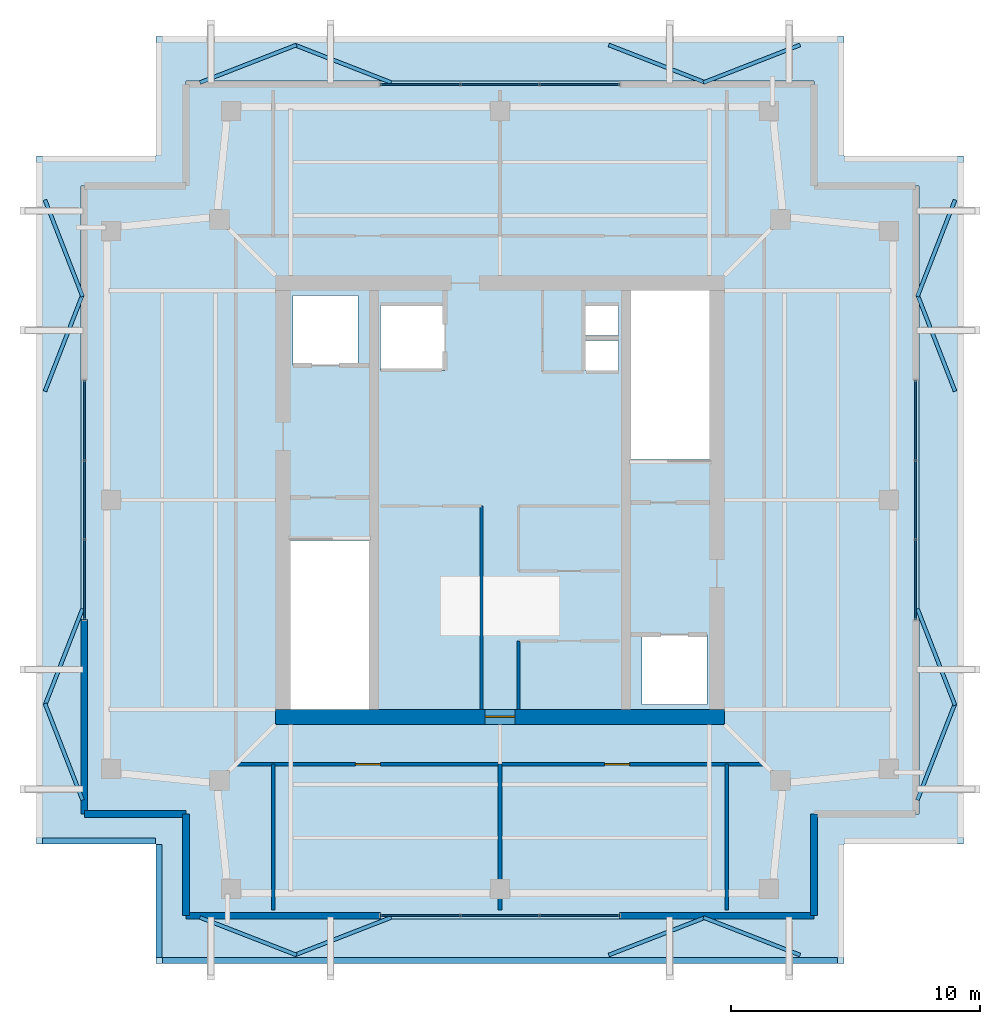
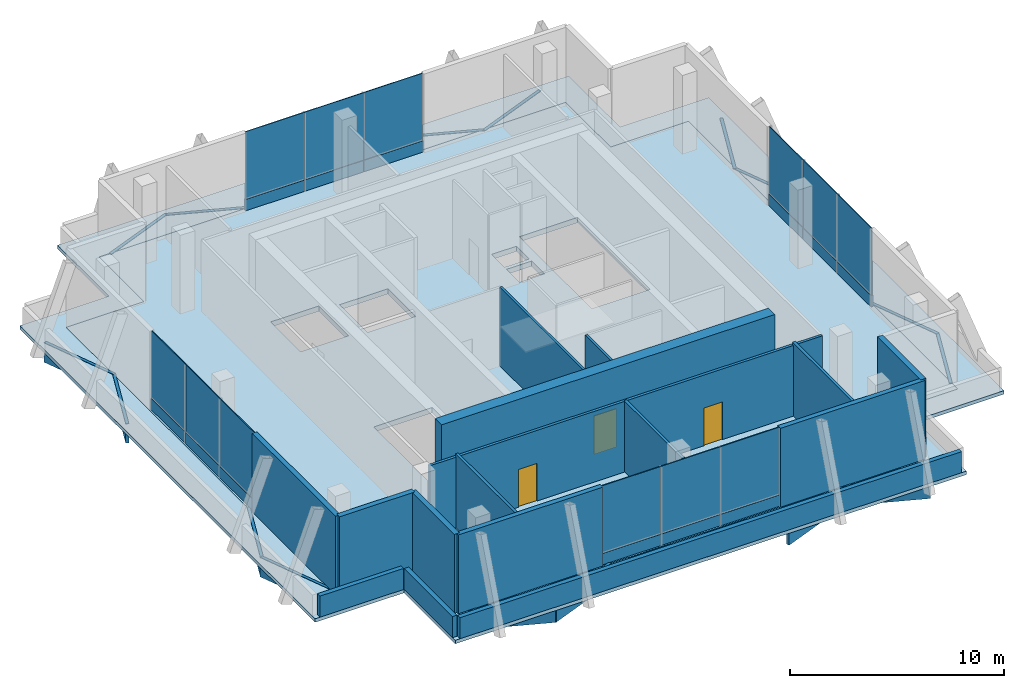
# One storey, part 12 of 15: 40 plates, 16 walls, 3 doors, 2 slabs, 3 openings, 4 elements without a shape of their own.
"""IFC4 building model written with IfcOpenShell, lengths in metres."""

from ifc_helpers import new_model, si_unit, direction, frame, frame_2d, origin, origin_2d, place, context, subcontext, project, spatial, polyline, rectangle, outline, extrude, material, layer, layer_set, type_object, element, fill, aggregate, save


model = new_model("IFC4")

# Units and contexts
model_context = context("Model", 3, precision=1e-05, world=origin(), true_north=direction((0.0, 1.0)))
body_context = subcontext(model_context, "Body", "Model", "MODEL_VIEW")
ifc_project = project(units=[si_unit("LENGTHUNIT", "METRE"), si_unit("AREAUNIT", "SQUARE_METRE"), si_unit("VOLUMEUNIT", "CUBIC_METRE"), si_unit("PLANEANGLEUNIT", "RADIAN"), si_unit("MASSUNIT", "GRAM", prefix="KILO")], contexts=[model_context])

# Site, building, storey
site_placement = place(None, origin())
site = spatial("IfcSite", under=ifc_project, at=site_placement, CompositionType="ELEMENT")
building_placement = place(site_placement, origin())
building = spatial("IfcBuilding", under=site, at=building_placement, Name="Belovzor Exchange Tower", CompositionType="ELEMENT")
storey_placement = place(building_placement, frame((0.0, 0.0, 373.800048828125)))
storey = spatial("IfcBuildingStorey", under=building, at=storey_placement, Name="L93", CompositionType="ELEMENT", Elevation=373.800048828125)

# Curtain wall, plates
ifc_material_1 = material(Name="Anodised Aluminium Framing", Category="aluminium")
ifc_layer_1 = layer(ifc_material_1, 0.169921875)
ifc_layer_set_1 = layer_set([ifc_layer_1], Name="Anodised Aluminium Framing")
curtain_wall_type = type_object("IfcCurtainWallType", Name="Stepped Crown Faceted Lantern Curtain Wall", PredefinedType="NOTDEFINED", material=ifc_layer_set_1)
curtain_wall_1_placement = place(storey_placement, origin())
curtain_wall_1 = element("IfcCurtainWall", 1, at=curtain_wall_1_placement, inside=storey, type_object=curtain_wall_type, Name="CW6 Stepped Crown Faceted Lantern Curtain Wall L93", PredefinedType="NOTDEFINED")
ifc_material_2 = material(Name="Solar-Control Triple Glazing", Category="glass")
ifc_layer_2 = layer(ifc_material_2, 0.0439453125)
ifc_layer_set_2 = layer_set([ifc_layer_2], Name="Solar-Control Triple Glazing")
plate_type_1 = type_object("IfcPlateType", Name="Insulated Solar Glazing Curtain Panel 44", PredefinedType="CURTAIN_PANEL", material=ifc_layer_set_2)
plate_1_placement = place(storey_placement, frame((32.0, 12.1298828125, 0.65185546875), z_axis=(0.0, 0.0, 1.0), x_axis=(-1.0, 0.0, 0.0)))
plate_1 = element("IfcPlate", 2, at=plate_1_placement, type_object=plate_type_1, Name="GLZ-44 Glazed Curtain Panel 1", PredefinedType="CURTAIN_PANEL", context=body_context, shape_type="SweptSolid", body=[
    extrude(rectangle(XDim=3.18408203125, YDim=0.0439453125, at=origin_2d()), origin(), (0.0, 0.0, 1.0), 3.847900390625),
])
plate_2_placement = place(storey_placement, frame((28.800048828125, 12.1298828125, 0.65185546875), z_axis=(0.0, 0.0, 1.0), x_axis=(-1.0, 0.0, 0.0)))
plate_2 = element("IfcPlate", 3, at=plate_2_placement, type_object=plate_type_1, Name="GLZ-44 Glazed Curtain Panel 2", PredefinedType="CURTAIN_PANEL", context=body_context, shape_type="SweptSolid", body=[
    extrude(rectangle(XDim=3.18408203125, YDim=0.0439453125, at=origin_2d()), origin(), (0.0, 0.0, 1.0), 3.847900390625),
])
plate_3_placement = place(storey_placement, frame((25.60009765625, 12.1298828125, 0.65185546875), z_axis=(0.0, 0.0, 1.0), x_axis=(-1.0, 0.0, 0.0)))
plate_3 = element("IfcPlate", 4, at=plate_3_placement, type_object=plate_type_1, Name="GLZ-44 Glazed Curtain Panel 3", PredefinedType="CURTAIN_PANEL", context=body_context, shape_type="SweptSolid", body=[
    extrude(rectangle(XDim=3.18408203125, YDim=0.0439453125, at=origin_2d()), origin(), (0.0, 0.0, 1.0), 3.847900390625),
])

curtain_wall_2_placement = place(storey_placement, origin())
curtain_wall_2 = element("IfcCurtainWall", 5, at=curtain_wall_2_placement, inside=storey, type_object=curtain_wall_type, Name="CW6 Stepped Crown Faceted Lantern Curtain Wall L93", PredefinedType="NOTDEFINED")
plate_4_placement = place(storey_placement, frame((25.60009765625, 45.469970703125, 0.65185546875), z_axis=(0.0, 0.0, 1.0), x_axis=(1.0, 0.0, 0.0)))
plate_4 = element("IfcPlate", 6, at=plate_4_placement, type_object=plate_type_1, Name="GLZ-44 Glazed Curtain Panel 1", PredefinedType="CURTAIN_PANEL", context=body_context, shape_type="SweptSolid", body=[
    extrude(rectangle(XDim=3.18408203125, YDim=0.0439453125, at=origin_2d()), origin(), (0.0, 0.0, 1.0), 3.847900390625),
])
plate_5_placement = place(storey_placement, frame((28.800048828125, 45.469970703125, 0.65185546875), z_axis=(0.0, 0.0, 1.0), x_axis=(1.0, 0.0, 0.0)))
plate_5 = element("IfcPlate", 7, at=plate_5_placement, type_object=plate_type_1, Name="GLZ-44 Glazed Curtain Panel 2", PredefinedType="CURTAIN_PANEL", context=body_context, shape_type="SweptSolid", body=[
    extrude(rectangle(XDim=3.18408203125, YDim=0.0439453125, at=origin_2d()), origin(), (0.0, 0.0, 1.0), 3.847900390625),
])
plate_6_placement = place(storey_placement, frame((32.0, 45.469970703125, 0.65185546875), z_axis=(0.0, 0.0, 1.0), x_axis=(1.0, 0.0, 0.0)))
plate_6 = element("IfcPlate", 8, at=plate_6_placement, type_object=plate_type_1, Name="GLZ-44 Glazed Curtain Panel 3", PredefinedType="CURTAIN_PANEL", context=body_context, shape_type="SweptSolid", body=[
    extrude(rectangle(XDim=3.18408203125, YDim=0.0439453125, at=origin_2d()), origin(), (0.0, 0.0, 1.0), 3.847900390625),
])

curtain_wall_3_placement = place(storey_placement, origin())
curtain_wall_3 = element("IfcCurtainWall", 9, at=curtain_wall_3_placement, inside=storey, type_object=curtain_wall_type, Name="CW6 Stepped Crown Faceted Lantern Curtain Wall L93", PredefinedType="NOTDEFINED")
plate_7_placement = place(storey_placement, frame((12.1298828125, 25.60009765625, 0.65185546875), z_axis=(0.0, 0.0, 1.0), x_axis=(0.0, 1.0, 0.0)))
plate_7 = element("IfcPlate", 10, at=plate_7_placement, type_object=plate_type_1, Name="GLZ-44 Glazed Curtain Panel 1", PredefinedType="CURTAIN_PANEL", context=body_context, shape_type="SweptSolid", body=[
    extrude(rectangle(XDim=3.18408203125, YDim=0.0439453125, at=origin_2d()), origin(), (0.0, 0.0, 1.0), 3.847900390625),
])
plate_8_placement = place(storey_placement, frame((12.1298828125, 28.800048828125, 0.65185546875), z_axis=(0.0, 0.0, 1.0), x_axis=(0.0, 1.0, 0.0)))
plate_8 = element("IfcPlate", 11, at=plate_8_placement, type_object=plate_type_1, Name="GLZ-44 Glazed Curtain Panel 2", PredefinedType="CURTAIN_PANEL", context=body_context, shape_type="SweptSolid", body=[
    extrude(rectangle(XDim=3.18408203125, YDim=0.0439453125, at=origin_2d()), origin(), (0.0, 0.0, 1.0), 3.847900390625),
])
plate_9_placement = place(storey_placement, frame((12.1298828125, 32.0, 0.65185546875), z_axis=(0.0, 0.0, 1.0), x_axis=(0.0, 1.0, 0.0)))
plate_9 = element("IfcPlate", 12, at=plate_9_placement, type_object=plate_type_1, Name="GLZ-44 Glazed Curtain Panel 3", PredefinedType="CURTAIN_PANEL", context=body_context, shape_type="SweptSolid", body=[
    extrude(rectangle(XDim=3.18408203125, YDim=0.0439453125, at=origin_2d()), origin(), (0.0, 0.0, 1.0), 3.847900390625),
])

curtain_wall_4_placement = place(storey_placement, origin())
curtain_wall_4 = element("IfcCurtainWall", 13, at=curtain_wall_4_placement, inside=storey, type_object=curtain_wall_type, Name="CW6 Stepped Crown Faceted Lantern Curtain Wall L93", PredefinedType="NOTDEFINED")
plate_10_placement = place(storey_placement, frame((45.469970703125, 32.0, 0.65185546875), z_axis=(0.0, 0.0, 1.0), x_axis=(0.0, -1.0, 0.0)))
plate_10 = element("IfcPlate", 14, at=plate_10_placement, type_object=plate_type_1, Name="GLZ-44 Glazed Curtain Panel 1", PredefinedType="CURTAIN_PANEL", context=body_context, shape_type="SweptSolid", body=[
    extrude(rectangle(XDim=3.18408203125, YDim=0.0439453125, at=origin_2d()), origin(), (0.0, 0.0, 1.0), 3.847900390625),
])
plate_11_placement = place(storey_placement, frame((45.469970703125, 28.800048828125, 0.65185546875), z_axis=(0.0, 0.0, 1.0), x_axis=(0.0, -1.0, 0.0)))
plate_11 = element("IfcPlate", 15, at=plate_11_placement, type_object=plate_type_1, Name="GLZ-44 Glazed Curtain Panel 2", PredefinedType="CURTAIN_PANEL", context=body_context, shape_type="SweptSolid", body=[
    extrude(rectangle(XDim=3.18408203125, YDim=0.0439453125, at=origin_2d()), origin(), (0.0, 0.0, 1.0), 3.847900390625),
])
plate_12_placement = place(storey_placement, frame((45.469970703125, 25.60009765625, 0.65185546875), z_axis=(0.0, 0.0, 1.0), x_axis=(0.0, -1.0, 0.0)))
plate_12 = element("IfcPlate", 16, at=plate_12_placement, type_object=plate_type_1, Name="GLZ-44 Glazed Curtain Panel 3", PredefinedType="CURTAIN_PANEL", context=body_context, shape_type="SweptSolid", body=[
    extrude(rectangle(XDim=3.18408203125, YDim=0.0439453125, at=origin_2d()), origin(), (0.0, 0.0, 1.0), 3.847900390625),
])

# Slabs
ifc_material_3 = material(Name="Concrete C40/50", Category="concrete")
ifc_layer_3 = layer(ifc_material_3, 0.300048828125)
ifc_layer_set_3 = layer_set([ifc_layer_3], Name="Concrete C40/50")
slab_type_1 = type_object("IfcSlabType", Name="Reinforced Concrete Crown Plant Floor Slab 300", PredefinedType="FLOOR", material=ifc_layer_set_3)
slab_1_placement = place(storey_placement, frame((0.0, 0.0, -0.300048828125)))
element("IfcSlab", 17, at=slab_1_placement, inside=storey, type_object=slab_type_1, Name="SL-F300 Structural Slab L93", PredefinedType="FLOOR", context=body_context, shape_type="SweptSolid", body=[
    extrude(outline(polyline([(16.199951171875, 12.0), (41.39990234375, 12.0), (41.39990234375, 16.199951171875), (45.60009765625, 16.199951171875), (45.60009765625, 41.39990234375), (41.39990234375, 41.39990234375), (41.39990234375, 45.60009765625), (16.199951171875, 45.60009765625), (16.199951171875, 41.39990234375), (12.0, 41.39990234375), (12.0, 16.199951171875), (16.199951171875, 16.199951171875), (16.199951171875, 12.0)]), holes=[polyline([(20.39990234375, 27.175048828125), (20.39990234375, 20.39990234375), (23.550048828125, 20.39990234375), (23.550048828125, 27.175048828125), (20.39990234375, 27.175048828125)]), polyline([(37.199951171875, 30.425048828125), (37.199951171875, 37.199951171875), (34.050048828125, 37.199951171875), (34.050048828125, 30.425048828125), (37.199951171875, 30.425048828125)]), polyline([(20.5, 34.199951171875), (23.10009765625, 34.199951171875), (23.10009765625, 37.0), (20.5, 37.0), (20.5, 34.199951171875)]), polyline([(34.5, 20.60009765625), (37.10009765625, 20.60009765625), (37.10009765625, 23.39990234375), (34.5, 23.39990234375), (34.5, 20.60009765625)]), polyline([(24.0, 34.0), (26.60009765625, 34.0), (26.60009765625, 36.60009765625), (24.0, 36.60009765625), (24.0, 34.0)]), polyline([(32.199951171875, 34.0), (33.550048828125, 34.0), (33.550048828125, 35.199951171875), (32.199951171875, 35.199951171875), (32.199951171875, 34.0)]), polyline([(32.199951171875, 35.39990234375), (33.550048828125, 35.39990234375), (33.550048828125, 36.60009765625), (32.199951171875, 36.60009765625), (32.199951171875, 35.39990234375)])]), origin(), (0.0, 0.0, 1.0), 0.300048828125),
])
ifc_material_4 = material(Name="Concrete C40/50", Category="concrete")
ifc_layer_4 = layer(ifc_material_4, 0.199951171875)
ifc_layer_set_4 = layer_set([ifc_layer_4], Name="Concrete C40/50")
slab_type_2 = type_object("IfcSlabType", Name="Setback Weathering Roof Ring Slab 200", PredefinedType="ROOF", material=ifc_layer_set_4)
slab_2_placement = place(storey_placement, frame((0.0, 0.0, -0.199951171875)))
element("IfcSlab", 18, at=slab_2_placement, inside=storey, type_object=slab_type_2, Name="SL-RF200A Setback Weathering Roof Ring L92", PredefinedType="ROOF", context=body_context, shape_type="SweptSolid", body=[
    extrude(outline(polyline([(15.0, 10.199951171875), (42.60009765625, 10.199951171875), (42.60009765625, 15.0), (47.39990234375, 15.0), (47.39990234375, 42.60009765625), (42.60009765625, 42.60009765625), (42.60009765625, 47.39990234375), (15.0, 47.39990234375), (15.0, 42.60009765625), (10.199951171875, 42.60009765625), (10.199951171875, 15.0), (15.0, 15.0), (15.0, 10.199951171875)]), holes=[polyline([(16.199951171875, 12.0), (41.39990234375, 12.0), (41.39990234375, 16.199951171875), (45.60009765625, 16.199951171875), (45.60009765625, 41.39990234375), (41.39990234375, 41.39990234375), (41.39990234375, 45.60009765625), (16.199951171875, 45.60009765625), (16.199951171875, 41.39990234375), (12.0, 41.39990234375), (12.0, 16.199951171875), (16.199951171875, 16.199951171875), (16.199951171875, 12.0)])]), origin(), (0.0, 0.0, 1.0), 0.199951171875),
])

# Plate
ifc_material_5 = material(Name="Extruded Architectural Terracotta", Category="masonry")
ifc_layer_5 = layer(ifc_material_5, 0.090087890625)
ifc_layer_set_5 = layer_set([ifc_layer_5], Name="Extruded Architectural Terracotta")
plate_type_2 = type_object("IfcPlateType", Name="Terracotta Shadow-Box Spandrel Panel 90", PredefinedType="CURTAIN_PANEL", material=ifc_layer_set_5)
plate_13_placement = place(storey_placement, frame((32.0, 12.1298828125, 0.0), z_axis=(0.0, 0.0, 1.0), x_axis=(-1.0, 0.0, 0.0)))
plate_13 = element("IfcPlate", 19, at=plate_13_placement, type_object=plate_type_2, Name="SPD-90 Spandrel Panel 1", PredefinedType="CURTAIN_PANEL", context=body_context, shape_type="SweptSolid", body=[
    extrude(rectangle(XDim=3.18408203125, YDim=0.090087890625, at=origin_2d()), origin(), (0.0, 0.0, 1.0), 0.64794921875),
])

plate_14_placement = place(storey_placement, frame((28.800048828125, 12.1298828125, 0.0), z_axis=(0.0, 0.0, 1.0), x_axis=(-1.0, 0.0, 0.0)))
plate_14 = element("IfcPlate", 20, at=plate_14_placement, type_object=plate_type_2, Name="SPD-90 Spandrel Panel 2", PredefinedType="CURTAIN_PANEL", context=body_context, shape_type="SweptSolid", body=[
    extrude(rectangle(XDim=3.18408203125, YDim=0.090087890625, at=origin_2d()), origin(), (0.0, 0.0, 1.0), 0.64794921875),
])

plate_15_placement = place(storey_placement, frame((25.60009765625, 12.1298828125, 0.0), z_axis=(0.0, 0.0, 1.0), x_axis=(-1.0, 0.0, 0.0)))
plate_15 = element("IfcPlate", 21, at=plate_15_placement, type_object=plate_type_2, Name="SPD-90 Spandrel Panel 3", PredefinedType="CURTAIN_PANEL", context=body_context, shape_type="SweptSolid", body=[
    extrude(rectangle(XDim=3.18408203125, YDim=0.090087890625, at=origin_2d()), origin(), (0.0, 0.0, 1.0), 0.64794921875),
])

aggregate(curtain_wall_1, [plate_13, plate_1, plate_14, plate_2, plate_15, plate_3])

plate_16_placement = place(storey_placement, frame((25.60009765625, 45.469970703125, 0.0), z_axis=(0.0, 0.0, 1.0), x_axis=(1.0, 0.0, 0.0)))
plate_16 = element("IfcPlate", 22, at=plate_16_placement, type_object=plate_type_2, Name="SPD-90 Spandrel Panel 1", PredefinedType="CURTAIN_PANEL", context=body_context, shape_type="SweptSolid", body=[
    extrude(rectangle(XDim=3.18408203125, YDim=0.090087890625, at=origin_2d()), origin(), (0.0, 0.0, 1.0), 0.64794921875),
])

plate_17_placement = place(storey_placement, frame((28.800048828125, 45.469970703125, 0.0), z_axis=(0.0, 0.0, 1.0), x_axis=(1.0, 0.0, 0.0)))
plate_17 = element("IfcPlate", 23, at=plate_17_placement, type_object=plate_type_2, Name="SPD-90 Spandrel Panel 2", PredefinedType="CURTAIN_PANEL", context=body_context, shape_type="SweptSolid", body=[
    extrude(rectangle(XDim=3.18408203125, YDim=0.090087890625, at=origin_2d()), origin(), (0.0, 0.0, 1.0), 0.64794921875),
])

plate_18_placement = place(storey_placement, frame((32.0, 45.469970703125, 0.0), z_axis=(0.0, 0.0, 1.0), x_axis=(1.0, 0.0, 0.0)))
plate_18 = element("IfcPlate", 24, at=plate_18_placement, type_object=plate_type_2, Name="SPD-90 Spandrel Panel 3", PredefinedType="CURTAIN_PANEL", context=body_context, shape_type="SweptSolid", body=[
    extrude(rectangle(XDim=3.18408203125, YDim=0.090087890625, at=origin_2d()), origin(), (0.0, 0.0, 1.0), 0.64794921875),
])

aggregate(curtain_wall_2, [plate_16, plate_4, plate_17, plate_5, plate_18, plate_6])

plate_19_placement = place(storey_placement, frame((12.1298828125, 25.60009765625, 0.0), z_axis=(0.0, 0.0, 1.0), x_axis=(0.0, 1.0, 0.0)))
plate_19 = element("IfcPlate", 25, at=plate_19_placement, type_object=plate_type_2, Name="SPD-90 Spandrel Panel 1", PredefinedType="CURTAIN_PANEL", context=body_context, shape_type="SweptSolid", body=[
    extrude(rectangle(XDim=3.18408203125, YDim=0.090087890625, at=origin_2d()), origin(), (0.0, 0.0, 1.0), 0.64794921875),
])

plate_20_placement = place(storey_placement, frame((12.1298828125, 28.800048828125, 0.0), z_axis=(0.0, 0.0, 1.0), x_axis=(0.0, 1.0, 0.0)))
plate_20 = element("IfcPlate", 26, at=plate_20_placement, type_object=plate_type_2, Name="SPD-90 Spandrel Panel 2", PredefinedType="CURTAIN_PANEL", context=body_context, shape_type="SweptSolid", body=[
    extrude(rectangle(XDim=3.18408203125, YDim=0.090087890625, at=origin_2d()), origin(), (0.0, 0.0, 1.0), 0.64794921875),
])

plate_21_placement = place(storey_placement, frame((12.1298828125, 32.0, 0.0), z_axis=(0.0, 0.0, 1.0), x_axis=(0.0, 1.0, 0.0)))
plate_21 = element("IfcPlate", 27, at=plate_21_placement, type_object=plate_type_2, Name="SPD-90 Spandrel Panel 3", PredefinedType="CURTAIN_PANEL", context=body_context, shape_type="SweptSolid", body=[
    extrude(rectangle(XDim=3.18408203125, YDim=0.090087890625, at=origin_2d()), origin(), (0.0, 0.0, 1.0), 0.64794921875),
])

aggregate(curtain_wall_3, [plate_19, plate_7, plate_20, plate_8, plate_21, plate_9])

plate_22_placement = place(storey_placement, frame((45.469970703125, 32.0, 0.0), z_axis=(0.0, 0.0, 1.0), x_axis=(0.0, -1.0, 0.0)))
plate_22 = element("IfcPlate", 28, at=plate_22_placement, type_object=plate_type_2, Name="SPD-90 Spandrel Panel 1", PredefinedType="CURTAIN_PANEL", context=body_context, shape_type="SweptSolid", body=[
    extrude(rectangle(XDim=3.18408203125, YDim=0.090087890625, at=origin_2d()), origin(), (0.0, 0.0, 1.0), 0.64794921875),
])

plate_23_placement = place(storey_placement, frame((45.469970703125, 28.800048828125, 0.0), z_axis=(0.0, 0.0, 1.0), x_axis=(0.0, -1.0, 0.0)))
plate_23 = element("IfcPlate", 29, at=plate_23_placement, type_object=plate_type_2, Name="SPD-90 Spandrel Panel 2", PredefinedType="CURTAIN_PANEL", context=body_context, shape_type="SweptSolid", body=[
    extrude(rectangle(XDim=3.18408203125, YDim=0.090087890625, at=origin_2d()), origin(), (0.0, 0.0, 1.0), 0.64794921875),
])

plate_24_placement = place(storey_placement, frame((45.469970703125, 25.60009765625, 0.0), z_axis=(0.0, 0.0, 1.0), x_axis=(0.0, -1.0, 0.0)))
plate_24 = element("IfcPlate", 30, at=plate_24_placement, type_object=plate_type_2, Name="SPD-90 Spandrel Panel 3", PredefinedType="CURTAIN_PANEL", context=body_context, shape_type="SweptSolid", body=[
    extrude(rectangle(XDim=3.18408203125, YDim=0.090087890625, at=origin_2d()), origin(), (0.0, 0.0, 1.0), 0.64794921875),
])

aggregate(curtain_wall_4, [plate_22, plate_10, plate_23, plate_11, plate_24, plate_12])

# Plates
ifc_material_6 = material(Name="Extruded Architectural Terracotta", Category="masonry")
ifc_layer_6 = layer(ifc_material_6, 0.14990234375)
ifc_layer_set_6 = layer_set([ifc_layer_6], Name="Extruded Architectural Terracotta")
plate_type_3 = type_object("IfcPlateType", Name="Upper-Crown Deep Folded Zigzag Terracotta Spandrel Louvre 150", PredefinedType="USERDEFINED", material=ifc_layer_set_6)
for number, where, z_axis, x_axis, name in (
    (31, (18.699951171875, 11.300048828125, -1.105224609375), (0.0, 0.0, 1.0), (0.931817969421, -0.362925986758, 0.0), "LVR-ZZ3 Zigzag Terracotta Spandrel Louvre L93 S1A"),
    (32, (22.5, 11.300048828125, -1.105224609375), (0.0, 0.0, 1.0), (0.931817969421, 0.362925986758, 0.0), "LVR-ZZ3 Zigzag Terracotta Spandrel Louvre L93 S1B"),
    (33, (18.699951171875, 46.300048828125, -1.105224609375), (0.0, 0.0, 1.0), (0.931817969421, 0.362925986758, 0.0), "LVR-ZZ3 Zigzag Terracotta Spandrel Louvre L93 N1A"),
    (34, (22.5, 46.300048828125, -1.105224609375), (0.0, 0.0, 1.0), (0.931817969421, -0.362925986758, 0.0), "LVR-ZZ3 Zigzag Terracotta Spandrel Louvre L93 N1B"),
    (35, (11.300048828125, 18.699951171875, -1.105224609375), (0.0, 0.0, 1.0), (-0.362925986758, 0.931817969421, 0.0), "LVR-ZZ3 Zigzag Terracotta Spandrel Louvre L93 W1A"),
    (36, (11.300048828125, 22.5, -1.105224609375), (0.0, 0.0, 1.0), (0.362925986758, 0.931817969421, 0.0), "LVR-ZZ3 Zigzag Terracotta Spandrel Louvre L93 W1B"),
    (37, (46.300048828125, 18.699951171875, -1.105224609375), (0.0, 0.0, 1.0), (0.362925986758, 0.931817969421, 0.0), "LVR-ZZ3 Zigzag Terracotta Spandrel Louvre L93 E1A"),
    (38, (46.300048828125, 22.5, -1.105224609375), (0.0, 0.0, 1.0), (-0.362925986758, 0.931817969421, 0.0), "LVR-ZZ3 Zigzag Terracotta Spandrel Louvre L93 E1B"),
    (39, (35.10009765625, 11.300048828125, -1.105224609375), (0.0, 0.0, 1.0), (0.931817969421, 0.362925986758, 0.0), "LVR-ZZ3 Zigzag Terracotta Spandrel Louvre L93 S2A"),
    (40, (38.89990234375, 11.300048828125, -1.105224609375), (0.0, 0.0, 1.0), (0.931817969421, -0.362925986758, 0.0), "LVR-ZZ3 Zigzag Terracotta Spandrel Louvre L93 S2B"),
    (41, (35.10009765625, 46.300048828125, -1.105224609375), (0.0, 0.0, 1.0), (0.931817969421, -0.362925986758, 0.0), "LVR-ZZ3 Zigzag Terracotta Spandrel Louvre L93 N2A"),
    (42, (38.89990234375, 46.300048828125, -1.105224609375), (0.0, 0.0, 1.0), (0.931817969421, 0.362925986758, 0.0), "LVR-ZZ3 Zigzag Terracotta Spandrel Louvre L93 N2B"),
    (43, (11.300048828125, 35.10009765625, -1.105224609375), (0.0, 0.0, 1.0), (0.362925986758, 0.931817969421, 0.0), "LVR-ZZ3 Zigzag Terracotta Spandrel Louvre L93 W2A"),
    (44, (11.300048828125, 38.89990234375, -1.105224609375), (0.0, 0.0, 1.0), (-0.362925986758, 0.931817969421, 0.0), "LVR-ZZ3 Zigzag Terracotta Spandrel Louvre L93 W2B"),
    (45, (46.300048828125, 35.10009765625, -1.105224609375), (0.0, 0.0, 1.0), (-0.362925986758, 0.931817969421, 0.0), "LVR-ZZ3 Zigzag Terracotta Spandrel Louvre L93 E2A"),
    (46, (46.300048828125, 38.89990234375, -1.105224609375), (0.0, 0.0, 1.0), (0.362925986758, 0.931817969421, 0.0), "LVR-ZZ3 Zigzag Terracotta Spandrel Louvre L93 E2B"),
):
    element("IfcPlate", number, at=place(storey_placement, frame(where, z_axis=z_axis, x_axis=x_axis)), inside=storey, type_object=plate_type_3, Name=name, ObjectType="SPANDREL_LOUVRE", PredefinedType="USERDEFINED", context=body_context, shape_type="SweptSolid", body=[
        extrude(rectangle(XDim=4.157958984375, YDim=0.14990234375, at=origin_2d()), origin(), (0.0, 0.0, 1.0), 1.1201171875),
    ])

# Walls
ifc_material_7 = material(Name="Fire-Rated Plasterboard on Galvanised Studs", Category="gypsum")
ifc_layer_7 = layer(ifc_material_7, 0.1201171875)
ifc_layer_set_7 = layer_set([ifc_layer_7], Name="Fire-Rated Plasterboard on Galvanised Studs")
wall_type_1 = type_object("IfcWallType", Name="Fire-Rated Double-Stud Partition Wall 120", PredefinedType="PARTITIONING", material=ifc_layer_set_7)
wall_1_placement = place(storey_placement, frame((28.050048828125, 20.39990234375, 0.0), z_axis=(0.0, 0.0, 1.0), x_axis=(0.0, 1.0, 0.0)))
element("IfcWall", 47, at=wall_1_placement, inside=storey, type_object=wall_type_1, Name="W-P120F Partition Wall W-CRWB-L93-E", PredefinedType="PARTITIONING", context=body_context, shape_type="SweptSolid", body=[
    extrude(rectangle(XDim=8.150146484375, YDim=0.1201171875, at=frame_2d((4.0751953125, 0.0))), origin(), (0.0, 0.0, 1.0), 4.5),
])
wall_2_placement = place(storey_placement, frame((29.550048828125, 20.39990234375, 0.0), z_axis=(0.0, 0.0, 1.0), x_axis=(0.0, 1.0, 0.0)))
element("IfcWall", 48, at=wall_2_placement, inside=storey, type_object=wall_type_1, Name="W-P120F Partition Wall W-CRL-L93-EW", PredefinedType="PARTITIONING", context=body_context, shape_type="SweptSolid", body=[
    extrude(rectangle(XDim=2.75, YDim=0.1201171875, at=frame_2d((1.375, 0.0))), origin(), (0.0, 0.0, 1.0), 4.5),
])

# Wall, openings, doors
ifc_material_8 = material(Name="Fire-Rated Gypsum Block and Mineral Wool", Category="gypsum")
ifc_layer_8 = layer(ifc_material_8, 0.14990234375)
ifc_layer_set_8 = layer_set([ifc_layer_8], Name="Fire-Rated Gypsum Block and Mineral Wool")
wall_type_2 = type_object("IfcWallType", Name="Fire-Rated Gypsum Block Corridor Wall 150", PredefinedType="PARTITIONING", material=ifc_layer_set_8)
wall_3_placement = place(storey_placement, frame((18.199951171875, 18.199951171875, 0.0), z_axis=(0.0, 0.0, 1.0), x_axis=(1.0, 0.0, 0.0)))
wall_3 = element("IfcWall", 49, at=wall_3_placement, inside=storey, type_object=wall_type_2, Name="W-P150 Partition Wall W-L93-PCS", PredefinedType="PARTITIONING", context=body_context, shape_type="SweptSolid", body=[
    extrude(rectangle(XDim=21.199951171875, YDim=0.14990234375, at=frame_2d((10.60009765625, 0.0))), origin(), (0.0, 0.0, 1.0), 4.034912109375),
])
opening_1_placement = place(wall_3_placement, frame((4.800048828125, 0.0, 0.0)))
opening_1 = element("IfcOpeningElement", 50, at=opening_1_placement, cuts=wall_3, Name="Opening D-FD90-105", PredefinedType="OPENING", context=body_context, shape_type="SweptSolid", body=[
    extrude(rectangle(XDim=1.0, YDim=2.14990234375, at=frame_2d((0.5, 1.074951171875))), frame((0.0, 0.0849609375, 0.0), z_axis=(0.0, -1.0, 0.0), x_axis=(1.0, 0.0, 0.0)), (0.0, 0.0, 1.0), 0.169921875),
])
opening_2_placement = place(wall_3_placement, frame((14.800048828125, 0.0, 0.0)))
opening_2 = element("IfcOpeningElement", 51, at=opening_2_placement, cuts=wall_3, Name="Opening D-FD90-105", PredefinedType="OPENING", context=body_context, shape_type="SweptSolid", body=[
    extrude(rectangle(XDim=1.0, YDim=2.14990234375, at=frame_2d((0.5, 1.074951171875))), frame((0.0, 0.0849609375, 0.0), z_axis=(0.0, -1.0, 0.0), x_axis=(1.0, 0.0, 0.0)), (0.0, 0.0, 1.0), 0.169921875),
])
ifc_material_9 = material(Name="Fire-Rated Galvanised Steel Leaf", Category="steel")
door_type_1 = type_object("IfcDoorType", Name="Core North Foyer Fire Door 1000x2150", OperationType="NOTDEFINED", PredefinedType="DOOR", material=ifc_material_9)
door_1_placement = place(opening_1_placement, origin())
door_1 = element("IfcDoor", 52, at=door_1_placement, inside=storey, type_object=door_type_1, Name="D-FD90-105 Core North Foyer Fire Door 1000x2150", OperationType="SINGLE_SWING_LEFT", OverallHeight=2.14990234375, OverallWidth=1.0, PredefinedType="DOOR", context=body_context, shape_type="SweptSolid", body=[
    extrude(rectangle(XDim=1.0, YDim=2.14990234375, at=frame_2d((0.5, 1.074951171875))), frame((0.0, 0.02490234375, 0.0), z_axis=(0.0, -1.0, 0.0), x_axis=(1.0, 0.0, 0.0)), (0.0, 0.0, 1.0), 0.050048828125),
])
fill(opening_1, door_1)
door_2_placement = place(opening_2_placement, origin())
door_2 = element("IfcDoor", 53, at=door_2_placement, inside=storey, type_object=door_type_1, Name="D-FD90-105 Core North Foyer Fire Door 1000x2150", OperationType="SINGLE_SWING_RIGHT", OverallHeight=2.14990234375, OverallWidth=1.0, PredefinedType="DOOR", context=body_context, shape_type="SweptSolid", body=[
    extrude(rectangle(XDim=1.0, YDim=2.14990234375, at=frame_2d((0.5, 1.074951171875))), frame((0.0, 0.02490234375, 0.0), z_axis=(0.0, -1.0, 0.0), x_axis=(1.0, 0.0, 0.0)), (0.0, 0.0, 1.0), 0.050048828125),
])
fill(opening_2, door_2)

# Walls
wall_4_placement = place(storey_placement, frame((19.699951171875, 12.35009765625, 0.0), z_axis=(0.0, 0.0, 1.0), x_axis=(0.0, 1.0, 0.0)))
element("IfcWall", 54, at=wall_4_placement, inside=storey, type_object=wall_type_2, Name="W-P150 Partition Wall W-L93-Q1W", PredefinedType="PARTITIONING", context=body_context, shape_type="SweptSolid", body=[
    extrude(rectangle(XDim=5.849853515625, YDim=0.14990234375, at=frame_2d((2.9248046875, 0.0))), origin(), (0.0, 0.0, 1.0), 4.18505859375),
])
wall_5_placement = place(storey_placement, frame((28.800048828125, 12.35009765625, 0.0), z_axis=(0.0, 0.0, 1.0), x_axis=(0.0, 1.0, 0.0)))
element("IfcWall", 55, at=wall_5_placement, inside=storey, type_object=wall_type_2, Name="W-P150 Partition Wall W-L93-Q1M", PredefinedType="PARTITIONING", context=body_context, shape_type="SweptSolid", body=[
    extrude(rectangle(XDim=5.849853515625, YDim=0.14990234375, at=frame_2d((2.9248046875, 0.0))), origin(), (0.0, 0.0, 1.0), 4.034912109375),
])
wall_6_placement = place(storey_placement, frame((37.89990234375, 12.35009765625, 0.0), z_axis=(0.0, 0.0, 1.0), x_axis=(0.0, 1.0, 0.0)))
element("IfcWall", 56, at=wall_6_placement, inside=storey, type_object=wall_type_2, Name="W-P150 Partition Wall W-L93-Q2E", PredefinedType="PARTITIONING", context=body_context, shape_type="SweptSolid", body=[
    extrude(rectangle(XDim=5.849853515625, YDim=0.14990234375, at=frame_2d((2.9248046875, 0.0))), origin(), (0.0, 0.0, 1.0), 4.18505859375),
])
ifc_material_10 = material(Name="Precast concrete C40/50", Category="concrete")
ifc_layer_9 = layer(ifc_material_10, 0.280029296875)
ifc_layer_set_9 = layer_set([ifc_layer_9], Name="Precast concrete C40/50")
wall_type_3 = type_object("IfcWallType", Name="Precast Concrete Notched Corner Frame Wall 280", PredefinedType="SOLIDWALL", material=ifc_layer_set_9)
for number, where, z_axis, x_axis, name in (
    (57, (16.199951171875, 12.1298828125, 0.0), (0.0, 0.0, 1.0), (0.0, 1.0, 0.0), "W-CRN280 Precast Concrete Notched Corner Frame Wall 280 L93"),
    (58, (16.199951171875, 16.199951171875, 0.0), (0.0, 0.0, 1.0), (-1.0, 0.0, 0.0), "W-CRN280 Precast Concrete Notched Corner Frame Wall 280 L93"),
    (59, (41.39990234375, 16.199951171875, 0.0), (0.0, 0.0, 1.0), (0.0, -1.0, 0.0), "W-CRN280 Precast Concrete Notched Corner Frame Wall 280 L93"),
):
    element("IfcWall", number, at=place(storey_placement, frame(where, z_axis=z_axis, x_axis=x_axis)), inside=storey, type_object=wall_type_3, Name=name, PredefinedType="SOLIDWALL", context=body_context, shape_type="SweptSolid", body=[
        extrude(rectangle(XDim=4.070068359375, YDim=0.280029296875, at=frame_2d((2.03515625, 0.0))), origin(), (0.0, 0.0, 1.0), 4.5),
    ])
ifc_material_11 = material(Name="Precast concrete C40/50", Category="concrete")
ifc_layer_10 = layer(ifc_material_11, 0.260009765625)
ifc_layer_set_10 = layer_set([ifc_layer_10], Name="Precast concrete C40/50")
wall_type_4 = type_object("IfcWallType", Name="Precast Concrete Perimeter Loggia Frame Wall 260", PredefinedType="SOLIDWALL", material=ifc_layer_set_10)
wall_7_placement = place(storey_placement, frame((41.39990234375, 12.1298828125, 0.0), z_axis=(0.0, 0.0, 1.0), x_axis=(-1.0, 0.0, 0.0)))
element("IfcWall", 60, at=wall_7_placement, inside=storey, type_object=wall_type_4, Name="W-EXT260 Precast Concrete Perimeter Loggia Frame Wall 260 L93", PredefinedType="SOLIDWALL", context=body_context, shape_type="SweptSolid", body=[
    extrude(rectangle(XDim=7.7998046875, YDim=0.260009765625, at=frame_2d((3.89990234375, 0.0))), origin(), (0.0, 0.0, 1.0), 4.5),
])
for number, where, z_axis, x_axis, name in (
    (61, (24.0, 12.1298828125, 0.0), (0.0, 0.0, 1.0), (-1.0, 0.0, 0.0), "W-EXT260 Precast Concrete Perimeter Loggia Frame Wall 260 L93"),
    (62, (12.1298828125, 16.199951171875, 0.0), (0.0, 0.0, 1.0), (0.0, 1.0, 0.0), "W-EXT260 Precast Concrete Perimeter Loggia Frame Wall 260 L93"),
):
    element("IfcWall", number, at=place(storey_placement, frame(where, z_axis=z_axis, x_axis=x_axis)), inside=storey, type_object=wall_type_4, Name=name, PredefinedType="SOLIDWALL", context=body_context, shape_type="SweptSolid", body=[
        extrude(rectangle(XDim=7.800048828125, YDim=0.260009765625, at=frame_2d((3.89990234375, 0.0))), origin(), (0.0, 0.0, 1.0), 4.5),
    ])
ifc_material_12 = material(Name="Precast concrete C40/50", Category="concrete")
ifc_layer_11 = layer(ifc_material_12, 0.239990234375)
ifc_layer_set_11 = layer_set([ifc_layer_11], Name="Precast concrete C40/50")
wall_type_5 = type_object("IfcWallType", Name="Precast Stone Setback Roof Parapet Wall 240", PredefinedType="PARAPET", material=ifc_layer_set_11)
wall_8_placement = place(storey_placement, frame((15.2548828125, 10.320068359375, 0.0), z_axis=(0.0, 0.0, 1.0), x_axis=(1.0, 0.0, 0.0)))
element("IfcWall", 63, at=wall_8_placement, inside=storey, type_object=wall_type_5, Name="W-PAR240 Precast Stone Setback Roof Parapet Wall 240 L93", PredefinedType="PARAPET", context=body_context, shape_type="SweptSolid", body=[
    extrude(rectangle(XDim=27.090087890625, YDim=0.239990234375, at=frame_2d((13.544921875, 0.0))), origin(), (0.0, 0.0, 1.0), 1.199951171875),
])
for number, where, z_axis, x_axis, name in (
    (64, (10.455078125, 15.1201171875, 0.0), (0.0, 0.0, 1.0), (1.0, 0.0, 0.0), "W-PAR240 Precast Stone Setback Roof Parapet Wall 240 L93"),
    (65, (15.1201171875, 14.985107421875, 0.0), (0.0, 0.0, 1.0), (0.0, -1.0, 0.0), "W-PAR240 Precast Stone Setback Roof Parapet Wall 240 L93"),
):
    element("IfcWall", number, at=place(storey_placement, frame(where, z_axis=z_axis, x_axis=x_axis)), inside=storey, type_object=wall_type_5, Name=name, PredefinedType="PARAPET", context=body_context, shape_type="SweptSolid", body=[
        extrude(rectangle(XDim=4.530029296875, YDim=0.239990234375, at=frame_2d((2.26513671875, 0.0))), origin(), (0.0, 0.0, 1.0), 1.199951171875),
    ])

# Wall, opening, door
ifc_material_13 = material(Name="Concrete C50/60", Category="concrete")
ifc_layer_12 = layer(ifc_material_13, 0.60009765625)
ifc_layer_set_12 = layer_set([ifc_layer_12], Name="Concrete C50/60")
wall_type_6 = type_object("IfcWallType", Name="Reinforced Concrete Core Shear Wall 600", PredefinedType="SHEAR", material=ifc_layer_set_12)
wall_9_placement = place(storey_placement, frame((19.800048828125, 20.10009765625, 0.0), z_axis=(0.0, 0.0, 1.0), x_axis=(1.0, 0.0, 0.0)))
wall_9 = element("IfcWall", 66, at=wall_9_placement, inside=storey, type_object=wall_type_6, Name="CW-S060 Core Shear Wall L93 S", PredefinedType="SHEAR", context=body_context, shape_type="SweptSolid", body=[
    extrude(rectangle(XDim=18.0, YDim=0.60009765625, at=frame_2d((9.0, 0.0))), origin(), (0.0, 0.0, 1.0), 4.800048828125),
])
opening_3_placement = place(wall_9_placement, frame((8.39990234375, 0.0, 0.0)))
opening_3 = element("IfcOpeningElement", 67, at=opening_3_placement, cuts=wall_9, Name="Opening D-FD90-120", PredefinedType="OPENING", context=body_context, shape_type="SweptSolid", body=[
    extrude(rectangle(XDim=1.199951171875, YDim=2.199951171875, at=frame_2d((0.60009765625, 1.10009765625))), frame((0.0, 0.31005859375, 0.0), z_axis=(0.0, -1.0, 0.0), x_axis=(1.0, 0.0, 0.0)), (0.0, 0.0, 1.0), 0.6201171875),
])
ifc_material_14 = material(Name="Fire-Rated Galvanised Steel Leaf", Category="steel")
door_type_2 = type_object("IfcDoorType", Name="Heavy Plant & Foyer Fire Door 1200x2200", OperationType="NOTDEFINED", PredefinedType="DOOR", material=ifc_material_14)
door_3_placement = place(opening_3_placement, origin())
door_3 = element("IfcDoor", 68, at=door_3_placement, inside=storey, type_object=door_type_2, Name="D-FD90-120 Heavy Plant & Foyer Fire Door 1200x2200", OperationType="SINGLE_SWING_LEFT", OverallHeight=2.199951171875, OverallWidth=1.199951171875, PredefinedType="DOOR", context=body_context, shape_type="SweptSolid", body=[
    extrude(rectangle(XDim=1.199951171875, YDim=2.199951171875, at=frame_2d((0.60009765625, 1.10009765625))), frame((0.0, 0.02490234375, 0.0), z_axis=(0.0, -1.0, 0.0), x_axis=(1.0, 0.0, 0.0)), (0.0, 0.0, 1.0), 0.050048828125),
])
fill(opening_3, door_3)

save(model, "model.ifc")
